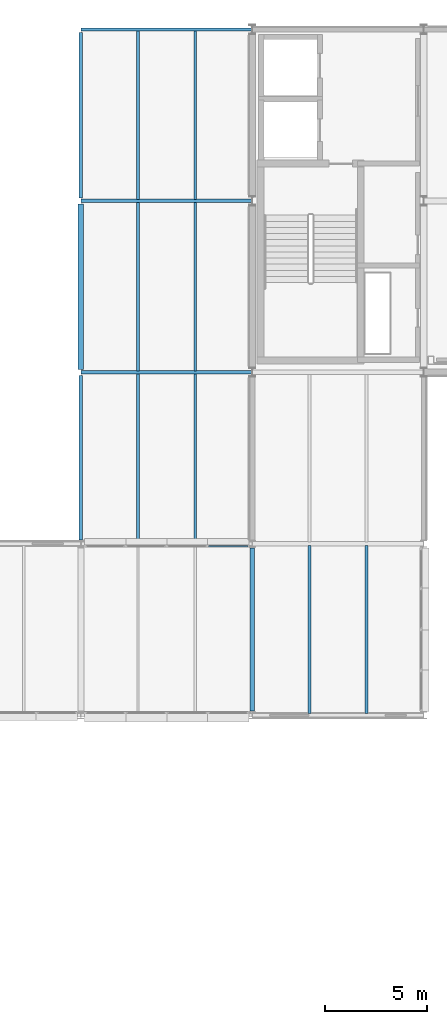
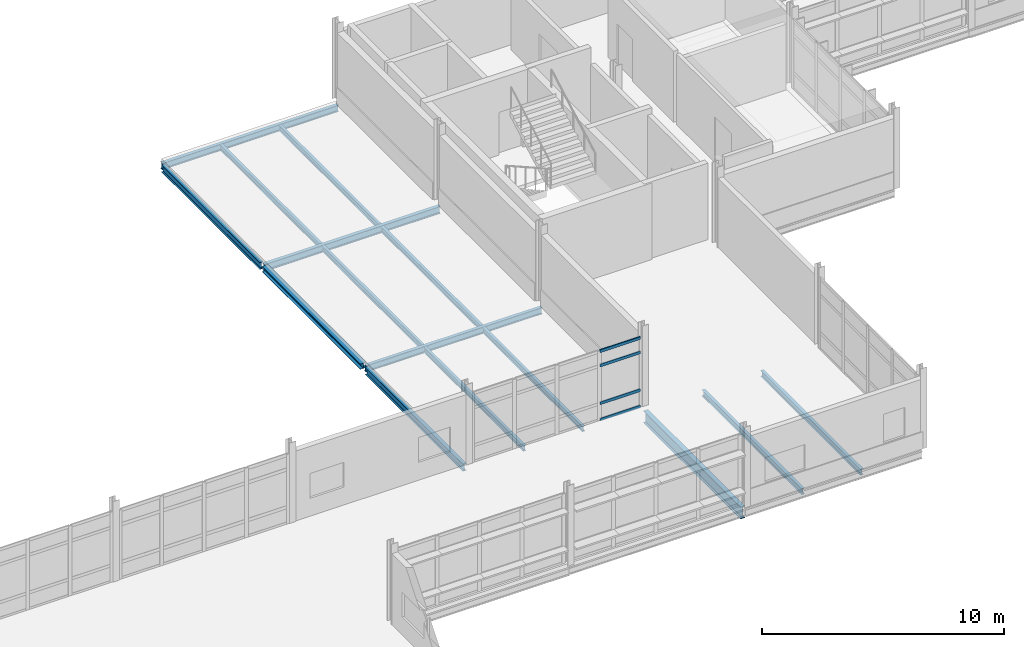
# One storey, part 44 of 131: 15 beams, 4 members, 1 element without a shape of its own.
"""IFC4 building model written with IfcOpenShell, lengths in metres."""

import ifcopenshell
import ifcopenshell.guid

model = None  # the IFC model being written
_history = None  # IfcOwnerHistory: only IFC2X3 demands one
_inside = {}  # id of a spatial element -> (the spatial element, [elements in it])
_under = {}  # id of a project, library or spatial element -> (it, [spatial elements below it])
_declared = {}  # id of a project -> (the project, [libraries it declares])
_typed = {}  # id of a type object -> (the type object, [elements of that type])
_made_of = {}  # id of a material, layer set ... -> (it, [elements and type objects made of it])


def new_model(schema):
    """Start an empty IFC model of exactly this schema.

    Asked for "IFC4X3", IfcOpenShell would pick the latest addendum, in which some entities
    have other attributes; the version numbers below select the first issue.
    IFC2X3 requires an IfcOwnerHistory on every rooted entity: one is made here for all.
    """
    global model, _history
    if schema == "IFC4X3":
        model = ifcopenshell.file(schema_version=(4, 3, 0, 0))
    else:
        model = ifcopenshell.file(schema=schema)
    _inside.clear()
    _under.clear()
    _declared.clear()
    _typed.clear()
    _made_of.clear()
    _history = None
    if model.schema == "IFC2X3":
        org = make("IfcOrganization", Name="unknown")
        user = make(
            "IfcPersonAndOrganization",
            ThePerson=make("IfcPerson", FamilyName="unknown"),
            TheOrganization=org,
        )
        app = make(
            "IfcApplication",
            ApplicationDeveloper=org,
            Version="unknown",
            ApplicationFullName="unknown",
            ApplicationIdentifier="unknown",
        )
        _history = make(
            "IfcOwnerHistory",
            OwningUser=user,
            OwningApplication=app,
            ChangeAction="ADDED",
            CreationDate=0,
        )
    return model


def make(cls, **values):
    """One entity of the class cls with the attributes given. An attribute that is None is left unset."""
    return model.create_entity(
        cls, **{name: value for name, value in values.items() if value is not None}
    )


def rooted(cls, **values):
    """An entity with a GlobalId (a new one), such as an element, a storey or a relation."""
    return make(cls, GlobalId=ifcopenshell.guid.new(), OwnerHistory=_history, **values)


def si_unit(unit_type, name, prefix=None):
    """IfcSIUnit, for example si_unit("LENGTHUNIT", "METRE", prefix="MILLI")."""
    return make("IfcSIUnit", UnitType=unit_type, Prefix=prefix, Name=name)


def assignment(units):
    """IfcUnitAssignment: the units of a project."""
    return None if units is None else make("IfcUnitAssignment", Units=units)


def point(xyz):
    """IfcCartesianPoint."""
    return None if xyz is None else make("IfcCartesianPoint", Coordinates=xyz)


def direction(xyz):
    """IfcDirection."""
    return None if xyz is None else make("IfcDirection", DirectionRatios=xyz)


def frame(location, z_axis=None, x_axis=None):
    """IfcAxis2Placement3D, a coordinate frame: its origin and axes. An axis left out is left unset."""
    return make(
        "IfcAxis2Placement3D",
        Location=point(location),
        Axis=direction(z_axis),
        RefDirection=direction(x_axis),
    )


def frame_2d(location, x_axis=None):
    """IfcAxis2Placement2D, a coordinate frame in the plane: its origin and x axis."""
    return make(
        "IfcAxis2Placement2D", Location=point(location), RefDirection=direction(x_axis)
    )


def origin():
    """The frame at (0, 0, 0) with its axes left unset."""
    return frame((0.0, 0.0, 0.0))


def origin_2d():
    """The frame at (0, 0) in the plane with its x axis left unset."""
    return frame_2d((0.0, 0.0))


def place(relative_to, where):
    """IfcLocalPlacement: puts the frame where relative to a parent placement (None: the world)."""
    return make(
        "IfcLocalPlacement", PlacementRelTo=relative_to, RelativePlacement=where
    )


def context(
    kind, dimensions, precision=None, world=None, true_north=None, identifier=None
):
    """IfcGeometricRepresentationContext, for example the 3D "Model" context."""
    return make(
        "IfcGeometricRepresentationContext",
        ContextIdentifier=identifier,
        ContextType=kind,
        CoordinateSpaceDimension=dimensions,
        Precision=precision,
        WorldCoordinateSystem=world,
        TrueNorth=true_north,
    )


def subcontext(parent, identifier, kind, view, scale=None):
    """IfcGeometricRepresentationSubContext, for example "Body" below "Model"."""
    return make(
        "IfcGeometricRepresentationSubContext",
        ContextIdentifier=identifier,
        ContextType=kind,
        ParentContext=parent,
        TargetScale=scale,
        TargetView=view,
    )


def project(units=None, contexts=None):
    """IfcProject with its units and contexts."""
    return rooted(
        "IfcProject",
        Name="project",
        RepresentationContexts=contexts,
        UnitsInContext=assignment(units),
    )


def spatial(cls, under=None, at=None, **own):
    """A site, building, storey or space (cls), placed at a placement, below another one or the project."""
    s = rooted(cls, ObjectPlacement=at, **own)
    if under is not None:
        _under.setdefault(under.id(), (under, []))[1].append(s)
    return s


def profile(cls, at=None, kind="AREA", **sizes):
    """A parametric profile (cls). Its sizes go by their IFC names, for example OverallWidth=200.0."""
    return make(cls, ProfileType=kind, Position=at, **sizes)


def hollow_rectangle(**sizes):
    """IfcRectangleHollowProfileDef."""
    return profile("IfcRectangleHollowProfileDef", **sizes)


def i_section(**sizes):
    """IfcIShapeProfileDef."""
    return profile("IfcIShapeProfileDef", **sizes)


def extrude(swept, where, along, depth):
    """IfcExtrudedAreaSolid: the profile swept, set in the frame where, extruded along a direction by depth."""
    return make(
        "IfcExtrudedAreaSolid",
        SweptArea=swept,
        Position=where,
        ExtrudedDirection=direction(along),
        Depth=depth,
    )


def shape(context_of_items, identifier, shape_type, items):
    """IfcShapeRepresentation: the items that make up one representation, for example the "Body"."""
    return make(
        "IfcShapeRepresentation",
        ContextOfItems=context_of_items,
        RepresentationIdentifier=identifier,
        RepresentationType=shape_type,
        Items=items,
    )


def material(Name=None, Category=None):
    """IfcMaterial."""
    return make("IfcMaterial", Name=Name, Category=Category)


def material_profile(
    of_material, cross_section, Name=None, Category=None, Priority=None
):
    """IfcMaterialProfile: a cross section and its material."""
    return make(
        "IfcMaterialProfile",
        Name=Name,
        Material=of_material,
        Profile=cross_section,
        Priority=Priority,
        Category=Category,
    )


def profile_set(profiles, Name=None, composite=None):
    """IfcMaterialProfileSet."""
    return make(
        "IfcMaterialProfileSet",
        Name=Name,
        MaterialProfiles=profiles,
        CompositeProfile=composite,
    )


def made_of(thing, what):
    """Note that an element or type object is made of a material, layer set ...; save() writes the relation."""
    if what is not None:
        _made_of.setdefault(what.id(), (what, []))[1].append(thing)
    return thing


def type_object(cls, material=None, **own):
    """A type object (cls), such as IfcWallType, which elements share."""
    return made_of(rooted(cls, **own), material)


def element(
    cls,
    number,
    at=None,
    inside=None,
    cuts=None,
    type_object=None,
    material=None,
    context=None,
    identifier="Body",
    shape_type=None,
    held_by="IfcProductDefinitionShape",
    body=None,
    shapes=None,
    **own,
):
    """One element of the class cls, such as IfcWall. Its Tag is "e" and its number.

    at: its placement. inside: the storey or other place that contains it. cuts: it is an
    opening in that element (IfcRelVoidsElement). A single representation is given by context,
    identifier, shape_type and body (its items); several are given by shapes. held_by: the class
    of the entity that holds the representations. save() writes the other relations.
    """
    e = rooted(cls, Tag="e%d" % number, ObjectPlacement=at, **own)
    if body is not None:
        shapes = [shape(context, identifier, shape_type, body)]
    if shapes is not None:
        e.Representation = make(held_by, Representations=shapes)
    if inside is not None:
        _inside.setdefault(inside.id(), (inside, []))[1].append(e)
    if cuts is not None:
        rooted(
            "IfcRelVoidsElement", RelatingBuildingElement=cuts, RelatedOpeningElement=e
        )
    if type_object is not None:
        _typed.setdefault(type_object.id(), (type_object, []))[1].append(e)
    return made_of(e, material)


def aggregate(whole, parts):
    """IfcRelAggregates: a whole, such as a stair, and the parts it consists of."""
    return rooted("IfcRelAggregates", RelatingObject=whole, RelatedObjects=parts)


def save(model, path):
    """Write the relations noted so far, then the file.

    IfcRelAggregates (storeys below a building ...), IfcRelContainedInSpatialStructure (elements
    in a storey), IfcRelDefinesByType, IfcRelAssociatesMaterial and IfcRelDeclares: one each for
    every whole, place, type object, material and project.
    """
    for whole, parts in _under.values():
        aggregate(whole, parts)
    for where, things in _inside.values():
        rooted(
            "IfcRelContainedInSpatialStructure",
            RelatedElements=things,
            RelatingStructure=where,
        )
    for kind, things in _typed.values():
        rooted("IfcRelDefinesByType", RelatedObjects=things, RelatingType=kind)
    for what, things in _made_of.values():
        rooted("IfcRelAssociatesMaterial", RelatedObjects=things, RelatingMaterial=what)
    for by, libraries in _declared.values():
        rooted("IfcRelDeclares", RelatingContext=by, RelatedDefinitions=libraries)
    model.write(path)


model = new_model("IFC4")

# Units and contexts
model_context = context("Model", 3, precision=1e-05, world=origin(), true_north=direction((0.0, 1.0)))
body_context = subcontext(model_context, "Body", "Model", "MODEL_VIEW")
ifc_project = project(units=[si_unit("LENGTHUNIT", "METRE"), si_unit("AREAUNIT", "SQUARE_METRE"), si_unit("VOLUMEUNIT", "CUBIC_METRE"), si_unit("PLANEANGLEUNIT", "RADIAN"), si_unit("MASSUNIT", "GRAM", prefix="KILO")], contexts=[model_context])

# Site, building, storey
site_placement = place(None, origin())
site = spatial("IfcSite", under=ifc_project, at=site_placement, CompositionType="ELEMENT")
building_placement = place(site_placement, origin())
building = spatial("IfcBuilding", under=site, at=building_placement, Name="Mersafa Astral City Hall", CompositionType="ELEMENT")
storey_placement = place(building_placement, frame((0.0, 0.0, 13.949951171875)))
storey = spatial("IfcBuildingStorey", under=building, at=storey_placement, Name="L03", CompositionType="ELEMENT", Elevation=13.949951171875)

# Curtain wall, members
ifc_material_1 = material(Name="Anodised bronze aluminium framing", Category="aluminium")
curtain_wall_type = type_object("IfcCurtainWallType", Name="ENV-CW-4", PredefinedType="USERDEFINED", material=ifc_material_1)
curtain_wall_placement = place(storey_placement, origin())
curtain_wall = element("IfcCurtainWall", 1, at=curtain_wall_placement, inside=storey, type_object=curtain_wall_type, Name="L03 Unitised solar curtain wall 171", ObjectType="UNITISED CURTAIN WALL", PredefinedType="USERDEFINED")
ifc_material_profile_1 = material_profile(ifc_material_1, hollow_rectangle(XDim=0.06005859375, YDim=0.139892578125, WallThickness=0.00390625, at=origin_2d()), Name="RHS 60x140x4")
ifc_profile_set_1 = profile_set([ifc_material_profile_1], Name="Anodised bronze aluminium framing")
member_type = type_object("IfcMemberType", Name="ENV-CW-TRN-1", PredefinedType="USERDEFINED", material=ifc_profile_set_1)
member_1_placement = place(storey_placement, frame((41.778076171875, 100.679931640625, 0.028076171875), z_axis=(-1.0, 0.0, 0.0), x_axis=(0.0, -1.0, 0.0)))
member_1 = element("IfcMember", 2, at=member_1_placement, type_object=member_type, Name="CW-4 transom 1.1", ObjectType="TRANSOM", PredefinedType="USERDEFINED", context=body_context, shape_type="SweptSolid", body=[
    extrude(hollow_rectangle(XDim=0.06005859375, YDim=0.139892578125, WallThickness=0.00390625, at=origin_2d()), origin(), (0.0, 0.0, 1.0), 1.928955078125),
])
member_2_placement = place(storey_placement, frame((41.778076171875, 100.679931640625, 0.85009765625), z_axis=(-1.0, 0.0, 0.0), x_axis=(0.0, -1.0, 0.0)))
member_2 = element("IfcMember", 3, at=member_2_placement, type_object=member_type, Name="CW-4 transom 1.2", ObjectType="TRANSOM", PredefinedType="USERDEFINED", context=body_context, shape_type="SweptSolid", body=[
    extrude(hollow_rectangle(XDim=0.06005859375, YDim=0.139892578125, WallThickness=0.00390625, at=origin_2d()), origin(), (0.0, 0.0, 1.0), 1.928955078125),
])
member_3_placement = place(storey_placement, frame((41.778076171875, 100.679931640625, 2.75), z_axis=(-1.0, 0.0, 0.0), x_axis=(0.0, -1.0, 0.0)))
member_3 = element("IfcMember", 4, at=member_3_placement, type_object=member_type, Name="CW-4 transom 1.3", ObjectType="TRANSOM", PredefinedType="USERDEFINED", context=body_context, shape_type="SweptSolid", body=[
    extrude(hollow_rectangle(XDim=0.06005859375, YDim=0.139892578125, WallThickness=0.00390625, at=origin_2d()), origin(), (0.0, 0.0, 1.0), 1.928955078125),
])
member_4_placement = place(storey_placement, frame((41.778076171875, 100.679931640625, 3.47216796875), z_axis=(-1.0, 0.0, 0.0), x_axis=(0.0, -1.0, 0.0)))
member_4 = element("IfcMember", 5, at=member_4_placement, type_object=member_type, Name="CW-4 transom 1.4", ObjectType="TRANSOM", PredefinedType="USERDEFINED", context=body_context, shape_type="SweptSolid", body=[
    extrude(hollow_rectangle(XDim=0.06005859375, YDim=0.139892578125, WallThickness=0.00390625, at=origin_2d()), origin(), (0.0, 0.0, 1.0), 1.928955078125),
])
aggregate(curtain_wall, [member_1, member_2, member_3, member_4])

# Beams
ifc_material_2 = material(Name="Steel S355", Category="steel")
ifc_material_profile_2 = material_profile(ifc_material_2, i_section(OverallWidth=0.219970703125, OverallDepth=0.60009765625, WebThickness=0.011962890625, FlangeThickness=0.01904296875, FilletRadius=0.02392578125, at=origin_2d()), Name="IPE 600")
ifc_profile_set_2 = profile_set([ifc_material_profile_2], Name="Steel S355")
beam_type_1 = type_object("IfcBeamType", Name="STR-BM-IPE600", PredefinedType="BEAM", material=ifc_profile_set_2)
beam_1_placement = place(storey_placement, frame((42.0, 92.594970703125, -0.5), z_axis=(0.0, 1.0, 0.0), x_axis=(-1.0, 0.0, 0.0)))
element("IfcBeam", 6, at=beam_1_placement, inside=storey, type_object=beam_type_1, Name="L03 Primary girder Y 5-11", PredefinedType="BEAM", context=body_context, shape_type="SweptSolid", body=[
    extrude(i_section(OverallWidth=0.219970703125, OverallDepth=0.60009765625, WebThickness=0.011962890625, FlangeThickness=0.01904296875, FilletRadius=0.02392578125, at=origin_2d()), origin(), (0.0, 0.0, 1.0), 8.010009765625),
])
ifc_material_profile_3 = material_profile(ifc_material_2, i_section(OverallWidth=0.135009765625, OverallDepth=0.27001953125, WebThickness=0.006591796875, FlangeThickness=0.01025390625, FilletRadius=0.014892578125, at=origin_2d()), Name="IPE 270")
ifc_profile_set_3 = profile_set([ifc_material_profile_3], Name="Steel S355")
beam_type_2 = type_object("IfcBeamType", Name="STR-BM-JOIST-IPE270", PredefinedType="JOIST", material=ifc_profile_set_3)
for number, where, z_axis, x_axis, name in (
    (7, (36.39990234375, 100.8798828125, -0.3349609375), (0.0, 1.0, 0.0), (-1.0, 0.0, 0.0), "L03 Flat roof secondary joist 1"),
    (8, (39.199951171875, 100.8798828125, -0.3349609375), (0.0, 1.0, 0.0), (-1.0, 0.0, 0.0), "L03 Flat roof secondary joist 2"),
    (9, (36.39990234375, 109.27490234375, -0.3349609375), (0.0, 1.0, 0.0), (-1.0, 0.0, 0.0), "L03 Flat roof secondary joist 3"),
    (10, (39.199951171875, 109.27490234375, -0.3349609375), (0.0, 1.0, 0.0), (-1.0, 0.0, 0.0), "L03 Flat roof secondary joist 4"),
    (11, (36.39990234375, 117.679931640625, -0.3349609375), (0.0, 1.0, 0.0), (-1.0, 0.0, 0.0), "L03 Flat roof secondary joist 5"),
    (12, (39.199951171875, 117.679931640625, -0.3349609375), (0.0, 1.0, 0.0), (-1.0, 0.0, 0.0), "L03 Flat roof secondary joist 6"),
):
    element("IfcBeam", number, at=place(storey_placement, frame(where, z_axis=z_axis, x_axis=x_axis)), inside=storey, type_object=beam_type_2, Name=name, PredefinedType="JOIST", context=body_context, shape_type="SweptSolid", body=[
        extrude(i_section(OverallWidth=0.135009765625, OverallDepth=0.27001953125, WebThickness=0.006591796875, FlangeThickness=0.01025390625, FilletRadius=0.014892578125, at=origin_2d()), origin(), (0.0, 0.0, 1.0), 8.2451171875),
    ])
ifc_material_profile_4 = material_profile(ifc_material_2, i_section(OverallWidth=0.14990234375, OverallDepth=0.300048828125, WebThickness=0.007080078125, FlangeThickness=0.0107421875, FilletRadius=0.014892578125, at=origin_2d()), Name="IPE 300")
ifc_profile_set_4 = profile_set([ifc_material_profile_4], Name="Steel S355")
beam_type_3 = type_object("IfcBeamType", Name="STR-BM-JOIST-IPE300", PredefinedType="JOIST", material=ifc_profile_set_4)
for number, where, z_axis, x_axis, name in (
    (13, (44.800048828125, 92.47998046875, -0.349853515625), (0.0, 1.0, 0.0), (-1.0, 0.0, 0.0), "L03 Composite secondary floor joist 566"),
    (14, (47.60009765625, 92.47998046875, -0.349853515625), (0.0, 1.0, 0.0), (-1.0, 0.0, 0.0), "L03 Composite secondary floor joist 567"),
):
    element("IfcBeam", number, at=place(storey_placement, frame(where, z_axis=z_axis, x_axis=x_axis)), inside=storey, type_object=beam_type_3, Name=name, PredefinedType="JOIST", context=body_context, shape_type="SweptSolid", body=[
        extrude(i_section(OverallWidth=0.14990234375, OverallDepth=0.300048828125, WebThickness=0.007080078125, FlangeThickness=0.0107421875, FilletRadius=0.014892578125, at=origin_2d()), origin(), (0.0, 0.0, 1.0), 8.22509765625),
    ])
ifc_material_profile_5 = material_profile(ifc_material_2, i_section(OverallWidth=0.280029296875, OverallDepth=0.27001953125, WebThickness=0.008056640625, FlangeThickness=0.012939453125, FilletRadius=0.02392578125, at=origin_2d()), Name="HEA 280")
ifc_profile_set_5 = profile_set([ifc_material_profile_5], Name="Steel S355")
beam_type_4 = type_object("IfcBeamType", Name="STR-BM-SPANDREL-HEA280", PredefinedType="SPANDREL", material=ifc_profile_set_5)
beam_2_placement = place(storey_placement, frame((33.60009765625, 109.344970703125, -0.3349609375), z_axis=(0.0, 1.0, 0.0), x_axis=(-1.0, 0.0, 0.0)))
element("IfcBeam", 15, at=beam_2_placement, inside=storey, type_object=beam_type_4, Name="L03 Primary girder Y 4-13", PredefinedType="SPANDREL", context=body_context, shape_type="SweptSolid", body=[
    extrude(i_section(OverallWidth=0.280029296875, OverallDepth=0.27001953125, WebThickness=0.008056640625, FlangeThickness=0.012939453125, FilletRadius=0.02392578125, at=origin_2d()), origin(), (0.0, 0.0, 1.0), 8.110107421875),
])
ifc_material_profile_6 = material_profile(ifc_material_2, i_section(OverallWidth=0.159912109375, OverallDepth=0.330078125, WebThickness=0.007568359375, FlangeThickness=0.011474609375, FilletRadius=0.01806640625, at=origin_2d()), Name="IPE 330")
ifc_profile_set_6 = profile_set([ifc_material_profile_6], Name="Steel S355")
beam_type_5 = type_object("IfcBeamType", Name="STR-BM-SPANDREL-IPE330", PredefinedType="SPANDREL", material=ifc_profile_set_6)
for number, where, z_axis, x_axis, name in (
    (16, (33.60302734375, 109.199951171875, -0.364990234375), (1.0, 0.0, 0.0), (0.0, 1.0, 0.0), "L03 Primary girder X 4-13"),
    (17, (33.60302734375, 126.0, -0.364990234375), (1.0, 0.0, 0.0), (0.0, 1.0, 0.0), "L03 Primary girder X 4-15"),
):
    element("IfcBeam", number, at=place(storey_placement, frame(where, z_axis=z_axis, x_axis=x_axis)), inside=storey, type_object=beam_type_5, Name=name, PredefinedType="SPANDREL", context=body_context, shape_type="SweptSolid", body=[
        extrude(i_section(OverallWidth=0.159912109375, OverallDepth=0.330078125, WebThickness=0.007568359375, FlangeThickness=0.011474609375, FilletRadius=0.01806640625, at=origin_2d()), origin(), (0.0, 0.0, 1.0), 8.39404296875),
    ])
ifc_material_profile_7 = material_profile(ifc_material_2, i_section(OverallWidth=0.169921875, OverallDepth=0.360107421875, WebThickness=0.008056640625, FlangeThickness=0.0126953125, FilletRadius=0.01806640625, at=origin_2d()), Name="IPE 360")
ifc_profile_set_7 = profile_set([ifc_material_profile_7], Name="Steel S355")
beam_type_6 = type_object("IfcBeamType", Name="STR-BM-SPANDREL-IPE360", PredefinedType="SPANDREL", material=ifc_profile_set_7)
beam_3_placement = place(storey_placement, frame((33.60302734375, 117.60009765625, -0.3798828125), z_axis=(1.0, 0.0, 0.0), x_axis=(0.0, 1.0, 0.0)))
element("IfcBeam", 18, at=beam_3_placement, inside=storey, type_object=beam_type_6, Name="L03 Primary girder X 4-14", PredefinedType="SPANDREL", context=body_context, shape_type="SweptSolid", body=[
    extrude(i_section(OverallWidth=0.169921875, OverallDepth=0.360107421875, WebThickness=0.008056640625, FlangeThickness=0.0126953125, FilletRadius=0.01806640625, at=origin_2d()), origin(), (0.0, 0.0, 1.0), 8.39404296875),
])
beam_4_placement = place(storey_placement, frame((33.60009765625, 100.9951171875, -0.3798828125), z_axis=(0.0, 1.0, 0.0), x_axis=(-1.0, 0.0, 0.0)))
element("IfcBeam", 19, at=beam_4_placement, inside=storey, type_object=beam_type_6, Name="L03 Primary girder Y 4-12", PredefinedType="SPANDREL", context=body_context, shape_type="SweptSolid", body=[
    extrude(i_section(OverallWidth=0.169921875, OverallDepth=0.360107421875, WebThickness=0.008056640625, FlangeThickness=0.0126953125, FilletRadius=0.01806640625, at=origin_2d()), origin(), (0.0, 0.0, 1.0), 8.059814453125),
])
beam_5_placement = place(storey_placement, frame((33.60009765625, 117.7451171875, -0.3798828125), z_axis=(0.0, 1.0, 0.0), x_axis=(-1.0, 0.0, 0.0)))
element("IfcBeam", 20, at=beam_5_placement, inside=storey, type_object=beam_type_6, Name="L03 Primary girder Y 4-14", PredefinedType="SPANDREL", context=body_context, shape_type="SweptSolid", body=[
    extrude(i_section(OverallWidth=0.169921875, OverallDepth=0.360107421875, WebThickness=0.008056640625, FlangeThickness=0.0126953125, FilletRadius=0.01806640625, at=origin_2d()), origin(), (0.0, 0.0, 1.0), 8.10986328125),
])

save(model, "model.ifc")
